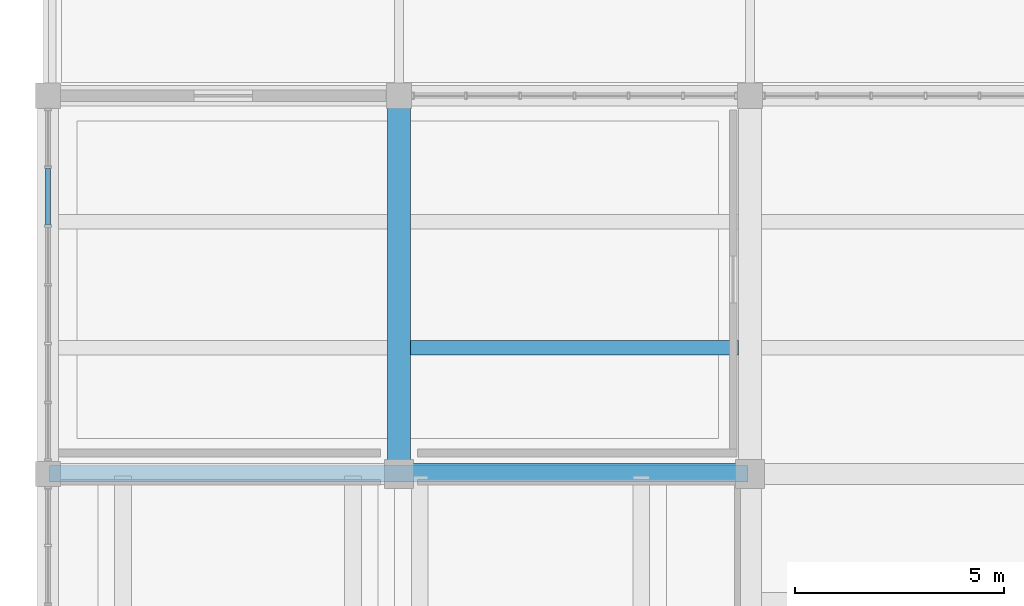
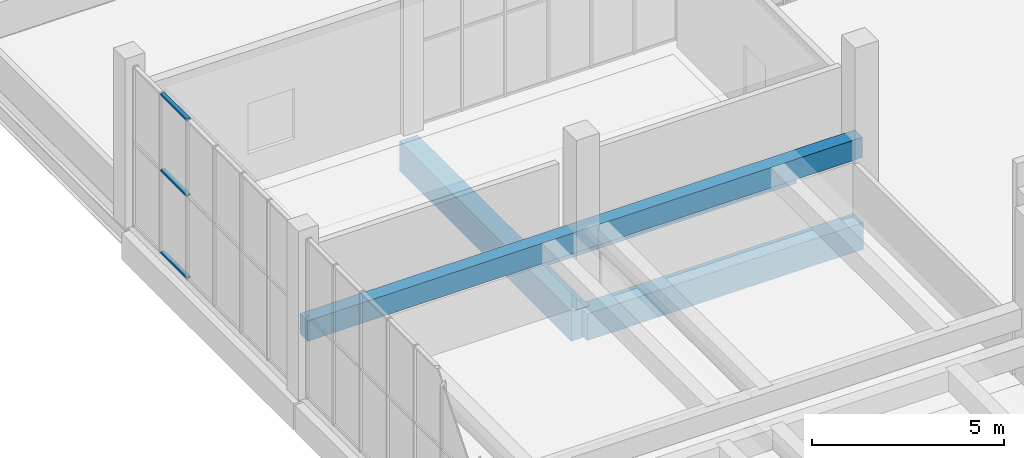
# One storey, part 47 of 132: 4 beams, 3 members, 1 element without a shape of its own.
"""IFC4 building model written with IfcOpenShell, lengths in metres."""

from ifc_helpers import new_model, si_unit, direction, frame, origin, origin_2d, place, context, subcontext, project, spatial, rectangle, hollow_rectangle, extrude, material, material_profile, profile_set, type_object, element, aggregate, save


model = new_model("IFC4")

# Units and contexts
model_context = context("Model", 3, precision=1e-05, world=origin(), true_north=direction((0.0, 1.0)))
body_context = subcontext(model_context, "Body", "Model", "MODEL_VIEW")
ifc_project = project(units=[si_unit("LENGTHUNIT", "METRE"), si_unit("AREAUNIT", "SQUARE_METRE"), si_unit("VOLUMEUNIT", "CUBIC_METRE"), si_unit("PLANEANGLEUNIT", "RADIAN"), si_unit("MASSUNIT", "GRAM", prefix="KILO")], contexts=[model_context])

# Site, building, storey
site_placement = place(None, origin())
site = spatial("IfcSite", under=ifc_project, at=site_placement, CompositionType="ELEMENT")
building_placement = place(site_placement, origin())
building = spatial("IfcBuilding", under=site, at=building_placement, Name="Khurvash Pelagic Aquarium", CompositionType="ELEMENT")
storey_placement = place(building_placement, frame((0.0, 0.0, 5.39990234375)))
storey = spatial("IfcBuildingStorey", under=building, at=storey_placement, Name="L01", CompositionType="ELEMENT", Elevation=5.39990234375)

# Beams
ifc_material_1 = material(Name="Concrete C40/50", Category="concrete")
ifc_material_profile_1 = material_profile(ifc_material_1, rectangle(XDim=0.550048828125, YDim=0.949951171875, at=origin_2d()), Name="RC550X950")
ifc_profile_set_1 = profile_set([ifc_material_profile_1], Name="Concrete C40/50")
beam_type_1 = type_object("IfcBeamType", Name="BM-02", PredefinedType="BEAM", material=ifc_profile_set_1)
beam_1_placement = place(storey_placement, frame((8.39990234375, 84.090087890625, -0.784912109375), z_axis=(0.0, 1.0, 0.0), x_axis=(-1.0, 0.0, 0.0)))
element("IfcBeam", 1, at=beam_1_placement, inside=storey, type_object=beam_type_1, Name="L01 Primary Girder BM-02 00351", PredefinedType="BEAM", context=body_context, shape_type="SweptSolid", body=[
    extrude(rectangle(XDim=0.550048828125, YDim=0.949951171875, at=origin_2d()), origin(), (0.0, 0.0, 1.0), 8.969970703125),
])
ifc_material_profile_2 = material_profile(ifc_material_1, rectangle(XDim=0.5, YDim=0.85009765625, at=origin_2d()), Name="RC500X850")
ifc_profile_set_2 = profile_set([ifc_material_profile_2], Name="Concrete C40/50")
beam_type_2 = type_object("IfcBeamType", Name="BM-03", PredefinedType="BEAM", material=ifc_profile_set_2)
beam_2_placement = place(storey_placement, frame((8.43994140625, 84.050048828125, -0.744873046875), z_axis=(1.0, 0.0, 0.0), x_axis=(0.0, 1.0, 0.0)))
element("IfcBeam", 2, at=beam_2_placement, inside=storey, type_object=beam_type_2, Name="L01 Primary Girder BM-03 00307", PredefinedType="BEAM", context=body_context, shape_type="SweptSolid", body=[
    extrude(rectangle(XDim=0.5, YDim=0.85009765625, at=origin_2d()), origin(), (0.0, 0.0, 1.0), 8.320068359375),
])
ifc_material_2 = material(Name="Concrete C35/45", Category="concrete")
ifc_material_profile_3 = material_profile(ifc_material_2, rectangle(XDim=0.39990234375, YDim=0.64990234375, at=origin_2d()), Name="RC400X650")
ifc_profile_set_3 = profile_set([ifc_material_profile_3], Name="Concrete C35/45")
beam_type_3 = type_object("IfcBeamType", Name="BM-05", PredefinedType="BEAM", material=ifc_profile_set_3)
beam_3_placement = place(storey_placement, frame((0.0400390625, 84.050048828125, 2.045166015625), z_axis=(1.0, 0.0, 0.0), x_axis=(0.0, 1.0, 0.0)))
element("IfcBeam", 3, at=beam_3_placement, inside=storey, type_object=beam_type_3, Name="L01 Auditorium Seating Tier Girder BM-05 3", PredefinedType="BEAM", context=body_context, shape_type="SweptSolid", body=[
    extrude(rectangle(XDim=0.39990234375, YDim=0.64990234375, at=origin_2d()), origin(), (0.0, 0.0, 1.0), 16.719970703125),
])

# Curtain wall, members
ifc_material_3 = material(Name="Anodised aluminium and low-E laminated glass", Category="aluminium")
curtain_wall_type = type_object("IfcCurtainWallType", Name="CW-06", PredefinedType="USERDEFINED", material=ifc_material_3)
curtain_wall_placement = place(storey_placement, origin())
curtain_wall = element("IfcCurtainWall", 4, at=curtain_wall_placement, inside=storey, type_object=curtain_wall_type, Name="L01 Facade Unitised Curtain Wall CW-06 0124", ObjectType="UNITISED CURTAIN WALL", PredefinedType="USERDEFINED")
ifc_material_4 = material(Name="Extruded aluminium AW-6063-T6", Category="aluminium")
ifc_material_profile_4 = material_profile(ifc_material_4, hollow_rectangle(XDim=0.1201171875, YDim=0.06005859375, WallThickness=0.00390625, at=origin_2d()), Name="CWT120X60X4")
ifc_profile_set_4 = profile_set([ifc_material_profile_4], Name="Extruded aluminium AW-6063-T6")
member_type = type_object("IfcMemberType", Name="CT-02", PredefinedType="USERDEFINED", material=ifc_profile_set_4)
member_1_placement = place(storey_placement, frame((0.0, 91.3583984375, 0.030029296875), z_axis=(0.0, -1.0, 0.0), x_axis=(1.0, 0.0, 0.0)))
member_1 = element("IfcMember", 5, at=member_1_placement, type_object=member_type, Name="CW-06 transom 2.1", ObjectType="TRANSOM", PredefinedType="USERDEFINED", context=body_context, shape_type="SweptSolid", body=[
    extrude(hollow_rectangle(XDim=0.1201171875, YDim=0.06005859375, WallThickness=0.00390625, at=origin_2d()), origin(), (0.0, 0.0, 1.0), 1.3466796875),
])
member_2_placement = place(storey_placement, frame((0.0, 91.3583984375, 2.652099609375), z_axis=(0.0, -1.0, 0.0), x_axis=(1.0, 0.0, 0.0)))
member_2 = element("IfcMember", 6, at=member_2_placement, type_object=member_type, Name="CW-06 transom 2.2", ObjectType="TRANSOM", PredefinedType="USERDEFINED", context=body_context, shape_type="SweptSolid", body=[
    extrude(hollow_rectangle(XDim=0.1201171875, YDim=0.06005859375, WallThickness=0.00390625, at=origin_2d()), origin(), (0.0, 0.0, 1.0), 1.3466796875),
])
member_3_placement = place(storey_placement, frame((0.0, 91.3583984375, 5.070068359375), z_axis=(0.0, -1.0, 0.0), x_axis=(1.0, 0.0, 0.0)))
member_3 = element("IfcMember", 7, at=member_3_placement, type_object=member_type, Name="CW-06 transom 2.3", ObjectType="TRANSOM", PredefinedType="USERDEFINED", context=body_context, shape_type="SweptSolid", body=[
    extrude(hollow_rectangle(XDim=0.1201171875, YDim=0.06005859375, WallThickness=0.00390625, at=origin_2d()), origin(), (0.0, 0.0, 1.0), 1.3466796875),
])
aggregate(curtain_wall, [member_1, member_2, member_3])

# Beam
ifc_material_profile_5 = material_profile(ifc_material_2, rectangle(XDim=0.35009765625, YDim=0.550048828125, at=origin_2d()), Name="RC350X550")
ifc_profile_set_5 = profile_set([ifc_material_profile_5], Name="Concrete C35/45")
beam_type_4 = type_object("IfcBeamType", Name="JS-01", PredefinedType="JOIST", material=ifc_profile_set_5)
beam_4_placement = place(storey_placement, frame((8.675048828125, 87.06689453125, -0.5849609375), z_axis=(1.0, 0.0, 0.0), x_axis=(0.0, 1.0, 0.0)))
element("IfcBeam", 8, at=beam_4_placement, inside=storey, type_object=beam_type_4, Name="L01 Floor Joist JS-01 00444", PredefinedType="JOIST", context=body_context, shape_type="SweptSolid", body=[
    extrude(rectangle(XDim=0.35009765625, YDim=0.550048828125, at=origin_2d()), origin(), (0.0, 0.0, 1.0), 7.849853515625),
])

save(model, "model.ifc")
